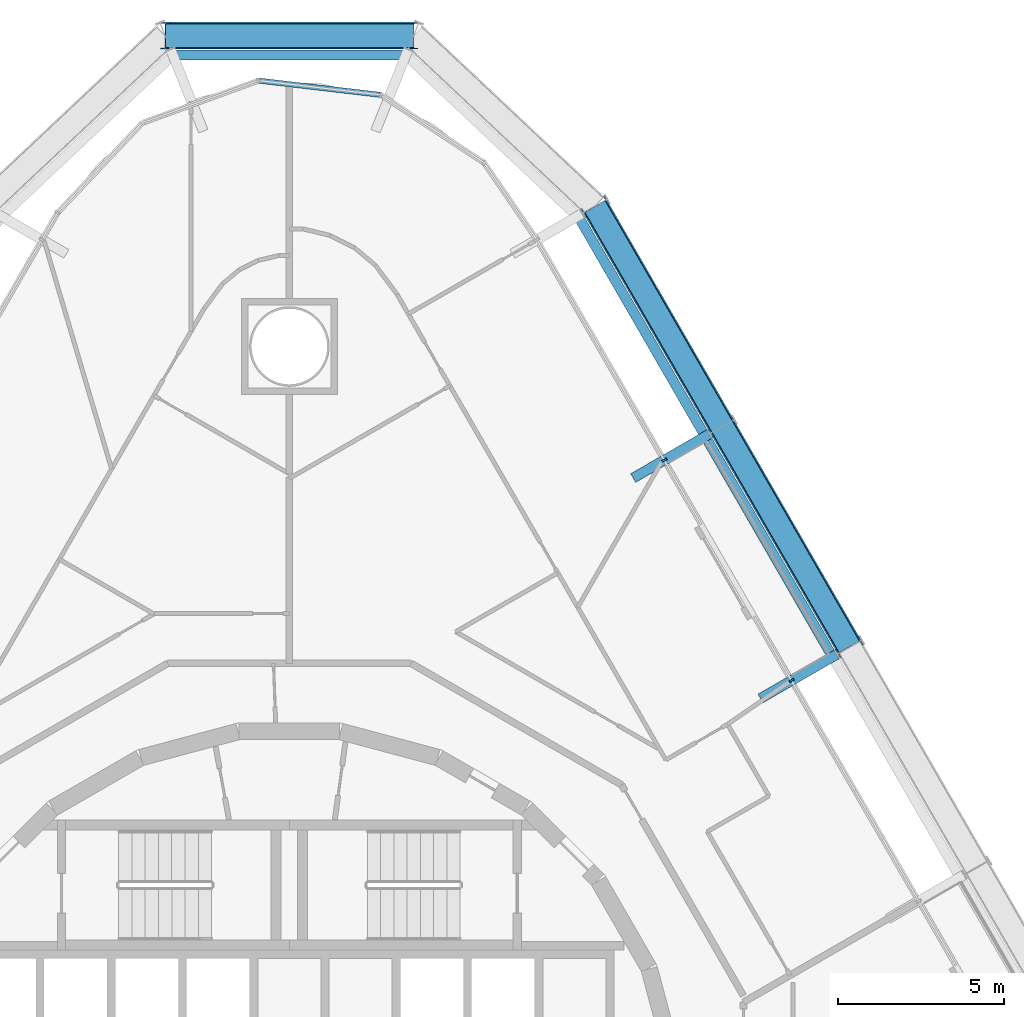
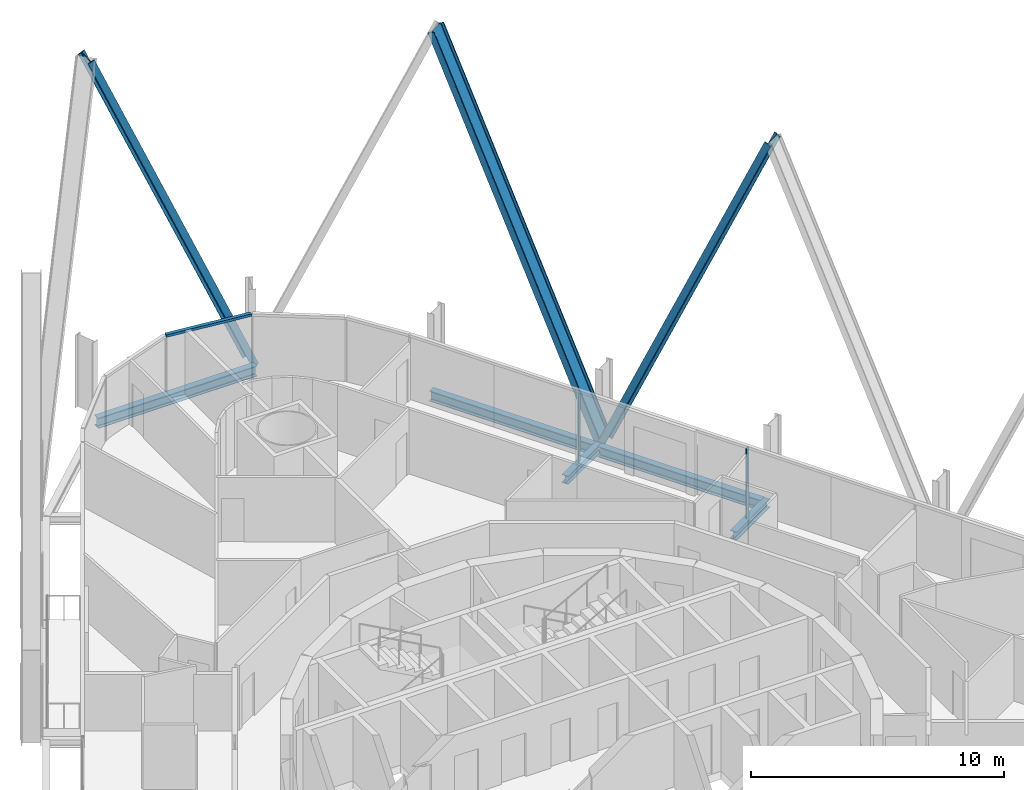
# One storey, part 11 of 22: 6 members, 5 beams, 2 elements without a shape of their own.
"""IFC4 building model written with IfcOpenShell, lengths in metres."""

import ifcopenshell
import ifcopenshell.guid

model = None  # the IFC model being written
_history = None  # IfcOwnerHistory: only IFC2X3 demands one
_inside = {}  # id of a spatial element -> (the spatial element, [elements in it])
_under = {}  # id of a project, library or spatial element -> (it, [spatial elements below it])
_declared = {}  # id of a project -> (the project, [libraries it declares])
_typed = {}  # id of a type object -> (the type object, [elements of that type])
_made_of = {}  # id of a material, layer set ... -> (it, [elements and type objects made of it])


def new_model(schema):
    """Start an empty IFC model of exactly this schema.

    Asked for "IFC4X3", IfcOpenShell would pick the latest addendum, in which some entities
    have other attributes; the version numbers below select the first issue.
    IFC2X3 requires an IfcOwnerHistory on every rooted entity: one is made here for all.
    """
    global model, _history
    if schema == "IFC4X3":
        model = ifcopenshell.file(schema_version=(4, 3, 0, 0))
    else:
        model = ifcopenshell.file(schema=schema)
    _inside.clear()
    _under.clear()
    _declared.clear()
    _typed.clear()
    _made_of.clear()
    _history = None
    if model.schema == "IFC2X3":
        org = make("IfcOrganization", Name="unknown")
        user = make(
            "IfcPersonAndOrganization",
            ThePerson=make("IfcPerson", FamilyName="unknown"),
            TheOrganization=org,
        )
        app = make(
            "IfcApplication",
            ApplicationDeveloper=org,
            Version="unknown",
            ApplicationFullName="unknown",
            ApplicationIdentifier="unknown",
        )
        _history = make(
            "IfcOwnerHistory",
            OwningUser=user,
            OwningApplication=app,
            ChangeAction="ADDED",
            CreationDate=0,
        )
    return model


def make(cls, **values):
    """One entity of the class cls with the attributes given. An attribute that is None is left unset."""
    return model.create_entity(
        cls, **{name: value for name, value in values.items() if value is not None}
    )


def rooted(cls, **values):
    """An entity with a GlobalId (a new one), such as an element, a storey or a relation."""
    return make(cls, GlobalId=ifcopenshell.guid.new(), OwnerHistory=_history, **values)


def si_unit(unit_type, name, prefix=None):
    """IfcSIUnit, for example si_unit("LENGTHUNIT", "METRE", prefix="MILLI")."""
    return make("IfcSIUnit", UnitType=unit_type, Prefix=prefix, Name=name)


def assignment(units):
    """IfcUnitAssignment: the units of a project."""
    return None if units is None else make("IfcUnitAssignment", Units=units)


def point(xyz):
    """IfcCartesianPoint."""
    return None if xyz is None else make("IfcCartesianPoint", Coordinates=xyz)


def direction(xyz):
    """IfcDirection."""
    return None if xyz is None else make("IfcDirection", DirectionRatios=xyz)


def frame(location, z_axis=None, x_axis=None):
    """IfcAxis2Placement3D, a coordinate frame: its origin and axes. An axis left out is left unset."""
    return make(
        "IfcAxis2Placement3D",
        Location=point(location),
        Axis=direction(z_axis),
        RefDirection=direction(x_axis),
    )


def frame_2d(location, x_axis=None):
    """IfcAxis2Placement2D, a coordinate frame in the plane: its origin and x axis."""
    return make(
        "IfcAxis2Placement2D", Location=point(location), RefDirection=direction(x_axis)
    )


def origin():
    """The frame at (0, 0, 0) with its axes left unset."""
    return frame((0.0, 0.0, 0.0))


def origin_2d():
    """The frame at (0, 0) in the plane with its x axis left unset."""
    return frame_2d((0.0, 0.0))


def place(relative_to, where):
    """IfcLocalPlacement: puts the frame where relative to a parent placement (None: the world)."""
    return make(
        "IfcLocalPlacement", PlacementRelTo=relative_to, RelativePlacement=where
    )


def context(
    kind, dimensions, precision=None, world=None, true_north=None, identifier=None
):
    """IfcGeometricRepresentationContext, for example the 3D "Model" context."""
    return make(
        "IfcGeometricRepresentationContext",
        ContextIdentifier=identifier,
        ContextType=kind,
        CoordinateSpaceDimension=dimensions,
        Precision=precision,
        WorldCoordinateSystem=world,
        TrueNorth=true_north,
    )


def subcontext(parent, identifier, kind, view, scale=None):
    """IfcGeometricRepresentationSubContext, for example "Body" below "Model"."""
    return make(
        "IfcGeometricRepresentationSubContext",
        ContextIdentifier=identifier,
        ContextType=kind,
        ParentContext=parent,
        TargetScale=scale,
        TargetView=view,
    )


def project(units=None, contexts=None):
    """IfcProject with its units and contexts."""
    return rooted(
        "IfcProject",
        Name="project",
        RepresentationContexts=contexts,
        UnitsInContext=assignment(units),
    )


def spatial(cls, under=None, at=None, **own):
    """A site, building, storey or space (cls), placed at a placement, below another one or the project."""
    s = rooted(cls, ObjectPlacement=at, **own)
    if under is not None:
        _under.setdefault(under.id(), (under, []))[1].append(s)
    return s


def profile(cls, at=None, kind="AREA", **sizes):
    """A parametric profile (cls). Its sizes go by their IFC names, for example OverallWidth=200.0."""
    return make(cls, ProfileType=kind, Position=at, **sizes)


def rectangle(**sizes):
    """IfcRectangleProfileDef."""
    return profile("IfcRectangleProfileDef", **sizes)


def i_section(**sizes):
    """IfcIShapeProfileDef."""
    return profile("IfcIShapeProfileDef", **sizes)


def extrude(swept, where, along, depth):
    """IfcExtrudedAreaSolid: the profile swept, set in the frame where, extruded along a direction by depth."""
    return make(
        "IfcExtrudedAreaSolid",
        SweptArea=swept,
        Position=where,
        ExtrudedDirection=direction(along),
        Depth=depth,
    )


def shape(context_of_items, identifier, shape_type, items):
    """IfcShapeRepresentation: the items that make up one representation, for example the "Body"."""
    return make(
        "IfcShapeRepresentation",
        ContextOfItems=context_of_items,
        RepresentationIdentifier=identifier,
        RepresentationType=shape_type,
        Items=items,
    )


def material(Name=None, Category=None):
    """IfcMaterial."""
    return make("IfcMaterial", Name=Name, Category=Category)


def layer(
    of_material, thickness, ventilated=None, Name=None, Category=None, Priority=None
):
    """IfcMaterialLayer: one layer of a wall or slab, of a material (None: an air gap)."""
    return make(
        "IfcMaterialLayer",
        Material=of_material,
        LayerThickness=thickness,
        IsVentilated=ventilated,
        Name=Name,
        Category=Category,
        Priority=Priority,
    )


def layer_set(layers, Name=None):
    """IfcMaterialLayerSet."""
    return make("IfcMaterialLayerSet", MaterialLayers=layers, LayerSetName=Name)


def material_profile(
    of_material, cross_section, Name=None, Category=None, Priority=None
):
    """IfcMaterialProfile: a cross section and its material."""
    return make(
        "IfcMaterialProfile",
        Name=Name,
        Material=of_material,
        Profile=cross_section,
        Priority=Priority,
        Category=Category,
    )


def profile_set(profiles, Name=None, composite=None):
    """IfcMaterialProfileSet."""
    return make(
        "IfcMaterialProfileSet",
        Name=Name,
        MaterialProfiles=profiles,
        CompositeProfile=composite,
    )


def made_of(thing, what):
    """Note that an element or type object is made of a material, layer set ...; save() writes the relation."""
    if what is not None:
        _made_of.setdefault(what.id(), (what, []))[1].append(thing)
    return thing


def type_object(cls, material=None, **own):
    """A type object (cls), such as IfcWallType, which elements share."""
    return made_of(rooted(cls, **own), material)


def element(
    cls,
    number,
    at=None,
    inside=None,
    cuts=None,
    type_object=None,
    material=None,
    context=None,
    identifier="Body",
    shape_type=None,
    held_by="IfcProductDefinitionShape",
    body=None,
    shapes=None,
    **own,
):
    """One element of the class cls, such as IfcWall. Its Tag is "e" and its number.

    at: its placement. inside: the storey or other place that contains it. cuts: it is an
    opening in that element (IfcRelVoidsElement). A single representation is given by context,
    identifier, shape_type and body (its items); several are given by shapes. held_by: the class
    of the entity that holds the representations. save() writes the other relations.
    """
    e = rooted(cls, Tag="e%d" % number, ObjectPlacement=at, **own)
    if body is not None:
        shapes = [shape(context, identifier, shape_type, body)]
    if shapes is not None:
        e.Representation = make(held_by, Representations=shapes)
    if inside is not None:
        _inside.setdefault(inside.id(), (inside, []))[1].append(e)
    if cuts is not None:
        rooted(
            "IfcRelVoidsElement", RelatingBuildingElement=cuts, RelatedOpeningElement=e
        )
    if type_object is not None:
        _typed.setdefault(type_object.id(), (type_object, []))[1].append(e)
    return made_of(e, material)


def aggregate(whole, parts):
    """IfcRelAggregates: a whole, such as a stair, and the parts it consists of."""
    return rooted("IfcRelAggregates", RelatingObject=whole, RelatedObjects=parts)


def save(model, path):
    """Write the relations noted so far, then the file.

    IfcRelAggregates (storeys below a building ...), IfcRelContainedInSpatialStructure (elements
    in a storey), IfcRelDefinesByType, IfcRelAssociatesMaterial and IfcRelDeclares: one each for
    every whole, place, type object, material and project.
    """
    for whole, parts in _under.values():
        aggregate(whole, parts)
    for where, things in _inside.values():
        rooted(
            "IfcRelContainedInSpatialStructure",
            RelatedElements=things,
            RelatingStructure=where,
        )
    for kind, things in _typed.values():
        rooted("IfcRelDefinesByType", RelatedObjects=things, RelatingType=kind)
    for what, things in _made_of.values():
        rooted("IfcRelAssociatesMaterial", RelatedObjects=things, RelatingMaterial=what)
    for by, libraries in _declared.values():
        rooted("IfcRelDeclares", RelatingContext=by, RelatedDefinitions=libraries)
    model.write(path)


model = new_model("IFC4")

# Units and contexts
model_context = context("Model", 3, precision=1e-05, world=origin(), true_north=direction((0.0, 1.0)))
body_context = subcontext(model_context, "Body", "Model", "MODEL_VIEW")
ifc_project = project(units=[si_unit("LENGTHUNIT", "METRE"), si_unit("AREAUNIT", "SQUARE_METRE"), si_unit("VOLUMEUNIT", "CUBIC_METRE"), si_unit("PLANEANGLEUNIT", "RADIAN"), si_unit("MASSUNIT", "GRAM", prefix="KILO")], contexts=[model_context])

# Site, building, storey
site_placement = place(None, origin())
site = spatial("IfcSite", under=ifc_project, at=site_placement, CompositionType="ELEMENT")
building_placement = place(site_placement, origin())
building = spatial("IfcBuilding", under=site, at=building_placement, Name="Spindle Arch Residences", CompositionType="ELEMENT")
storey_placement = place(building_placement, frame((0.0, 0.0, 52.39990234375)))
storey = spatial("IfcBuildingStorey", under=building, at=storey_placement, Name="L11", CompositionType="ELEMENT", Elevation=52.39990234375)

# Curtain wall, members
ifc_material_1 = material(Name="Aluminium bronze unitised frame with tinted glass", Category="aluminium")
ifc_layer_1 = layer(ifc_material_1, 0.159912109375)
ifc_layer_set_1 = layer_set([ifc_layer_1], Name="CW-C typical residential unitised wall")
curtain_wall_type_1 = type_object("IfcCurtainWallType", Name="CW-C typical residential unitised wall", PredefinedType="NOTDEFINED", material=ifc_layer_set_1)
curtain_wall_1_placement = place(storey_placement, origin())
curtain_wall_1 = element("IfcCurtainWall", 1, at=curtain_wall_1_placement, inside=storey, type_object=curtain_wall_type_1, Name="CW-C L11 run 2", PredefinedType="NOTDEFINED")
ifc_material_2 = material(Name="Aluminium bronze anodised mullion", Category="aluminium")
ifc_material_profile_1 = material_profile(ifc_material_2, rectangle(XDim=0.159912109375, YDim=0.06005859375, at=origin_2d()), Name="MU 60x160")
ifc_profile_set_1 = profile_set([ifc_material_profile_1], Name="Aluminium bronze anodised mullion")
member_type_1 = type_object("IfcMemberType", Name="Bronze mullion 60x160", PredefinedType="MULLION", material=ifc_profile_set_1)
member_1_placement = place(storey_placement, frame((15.149169921875, 13.180419921875, -0.3798828125), z_axis=(0.0, 0.0, 1.0), x_axis=(-0.866025403784, -0.5, 0.0)))
member_1 = element("IfcMember", 2, at=member_1_placement, type_object=member_type_1, Name="CW-C mullion 08", PredefinedType="MULLION", context=body_context, shape_type="SweptSolid", body=[
    extrude(rectangle(XDim=0.159912109375, YDim=0.06005859375, at=origin_2d()), origin(), (0.0, 0.0, 1.0), 3.3798828125),
])
member_2_placement = place(storey_placement, frame((11.309326171875, 19.83154296875, -0.3798828125), z_axis=(0.0, 0.0, 1.0), x_axis=(-0.866025403784, -0.5, 0.0)))
member_2 = element("IfcMember", 3, at=member_2_placement, type_object=member_type_1, Name="CW-C mullion 09", PredefinedType="MULLION", context=body_context, shape_type="SweptSolid", body=[
    extrude(rectangle(XDim=0.159912109375, YDim=0.06005859375, at=origin_2d()), origin(), (0.0, 0.0, 1.0), 3.3798828125),
])
aggregate(curtain_wall_1, [member_1, member_2])

# Curtain wall, member
ifc_material_3 = material(Name="Aluminium bronze unitised frame with tinted glass", Category="aluminium")
ifc_layer_2 = layer(ifc_material_3, 0.159912109375)
ifc_layer_set_2 = layer_set([ifc_layer_2], Name="CW-D corner wall on the fillet arcs")
curtain_wall_type_2 = type_object("IfcCurtainWallType", Name="CW-D corner wall on the fillet arcs", PredefinedType="NOTDEFINED", material=ifc_layer_set_2)
curtain_wall_2_placement = place(storey_placement, origin())
curtain_wall_2 = element("IfcCurtainWall", 4, at=curtain_wall_2_placement, inside=storey, type_object=curtain_wall_type_2, Name="CW-D L11 run 3", PredefinedType="NOTDEFINED")
ifc_material_4 = material(Name="Aluminium bronze anodised transom", Category="aluminium")
ifc_material_profile_2 = material_profile(ifc_material_4, rectangle(XDim=0.159912109375, YDim=0.1201171875, at=origin_2d()), Name="TR 120x160")
ifc_profile_set_2 = profile_set([ifc_material_profile_2], Name="Aluminium bronze anodised transom")
member_type_2 = type_object("IfcMemberType", Name="Bronze transom 120x160", PredefinedType="USERDEFINED", material=ifc_profile_set_2)
member_3_placement = place(storey_placement, frame((2.733642578125, 30.85595703125, 3.06005859375), z_axis=(-0.993234881174, 0.116122654204, 0.0), x_axis=(-0.116122654204, -0.993234881174, 0.0)))
member_3 = element("IfcMember", 5, at=member_3_placement, type_object=member_type_2, Name="CW-D transom 02", ObjectType="TRANSOM", PredefinedType="USERDEFINED", context=body_context, shape_type="SweptSolid", body=[
    extrude(rectangle(XDim=0.159912109375, YDim=0.1201171875, at=origin_2d()), origin(), (0.0, 0.0, 1.0), 3.666748046875),
])
aggregate(curtain_wall_2, [member_3])

# Members
ifc_material_5 = material(Name="Steel S460ML, intumescent coating R 240", Category="steel")
ifc_material_profile_3 = material_profile(ifc_material_5, i_section(OverallWidth=0.302978515625, OverallDepth=0.81396484375, WebThickness=0.02099609375, FlangeThickness=0.0400390625, FilletRadius=0.030029296875, at=origin_2d()), Name="HEM 800")
ifc_profile_set_3 = profile_set([ifc_material_profile_3], Name="Steel S460ML, intumescent coating R 240")
member_type_3 = type_object("IfcMemberType", Name="Diagrid diagonal HEM 800", PredefinedType="BRACE", material=ifc_profile_set_3)
member_4_placement = place(storey_placement, frame((13.05859375, 20.841796875, -0.6298828125), z_axis=(0.203141798676, -0.351859314841, 0.913744183123), x_axis=(-0.456864886666, 0.791329834849, 0.406290004565)))
element("IfcMember", 6, at=member_4_placement, inside=storey, type_object=member_type_3, Name="Diagrid diagonal 1.2.9", PredefinedType="BRACE", context=body_context, shape_type="SweptSolid", body=[
    extrude(i_section(OverallWidth=0.302978515625, OverallDepth=0.81396484375, WebThickness=0.02099609375, FlangeThickness=0.0400390625, FilletRadius=0.030029296875, at=origin_2d()), origin(), (0.0, 0.0, 1.0), 18.903564453125),
])
member_5_placement = place(storey_placement, frame((13.05859375, 20.841796875, -0.6298828125), z_axis=(-0.203142721803, 0.351847998607, 0.913748335405), x_axis=(0.456879540285, -0.79132616924, 0.406280665975)))
element("IfcMember", 7, at=member_5_placement, inside=storey, type_object=member_type_3, Name="Diagrid diagonal 1.2.10", PredefinedType="BRACE", context=body_context, shape_type="SweptSolid", body=[
    extrude(i_section(OverallWidth=0.302978515625, OverallDepth=0.81396484375, WebThickness=0.02099609375, FlangeThickness=0.0400390625, FilletRadius=0.030029296875, at=origin_2d()), origin(), (0.0, 0.0, 1.0), 18.9033203125),
])
member_6_placement = place(storey_placement, frame((3.748291015625, 32.638671875, -0.6298828125), z_axis=(-0.398127703552, 0.0, 0.917330001507), x_axis=(0.917330001507, 0.0, 0.398127703552)))
element("IfcMember", 8, at=member_6_placement, inside=storey, type_object=member_type_3, Name="Diagrid diagonal 1.2.12", PredefinedType="BRACE", context=body_context, shape_type="SweptSolid", body=[
    extrude(i_section(OverallWidth=0.302978515625, OverallDepth=0.81396484375, WebThickness=0.02099609375, FlangeThickness=0.0400390625, FilletRadius=0.030029296875, at=origin_2d()), origin(), (0.0, 0.0, 1.0), 18.82958984375),
])

# Beams
ifc_material_6 = material(Name="Steel S460ML, intumescent coating R 120", Category="steel")
ifc_material_profile_4 = material_profile(ifc_material_6, i_section(OverallWidth=0.300048828125, OverallDepth=0.5, WebThickness=0.014404296875, FlangeThickness=0.028076171875, FilletRadius=0.027099609375, at=origin_2d()), Name="HEB 500")
ifc_profile_set_4 = profile_set([ifc_material_profile_4], Name="Steel S460ML, intumescent coating R 120")
beam_type_1 = type_object("IfcBeamType", Name="Exoskeleton edge beam HEB 500", PredefinedType="BEAM", material=ifc_profile_set_4)
beam_1_placement = place(storey_placement, frame((16.3251953125, 14.009521484375, -0.6298828125), z_axis=(-0.49998923004, 0.866031621735, 0.0), x_axis=(-0.866031621735, -0.49998923004, 0.0)))
element("IfcBeam", 9, at=beam_1_placement, inside=storey, type_object=beam_type_1, Name="Exoskeleton edge beam 9", PredefinedType="BEAM", context=body_context, shape_type="SweptSolid", body=[
    extrude(i_section(OverallWidth=0.300048828125, OverallDepth=0.5, WebThickness=0.014404296875, FlangeThickness=0.028076171875, FilletRadius=0.027099609375, at=origin_2d()), origin(), (0.0, 0.0, 1.0), 7.420166015625),
])
beam_2_placement = place(storey_placement, frame((12.485107421875, 20.660888671875, -0.6298828125), z_axis=(-0.500003477455, 0.866023396066, 0.0), x_axis=(-0.866023396066, -0.500003477455, 0.0)))
element("IfcBeam", 10, at=beam_2_placement, inside=storey, type_object=beam_type_1, Name="Exoskeleton edge beam 10", PredefinedType="BEAM", context=body_context, shape_type="SweptSolid", body=[
    extrude(i_section(OverallWidth=0.300048828125, OverallDepth=0.5, WebThickness=0.014404296875, FlangeThickness=0.028076171875, FilletRadius=0.027099609375, at=origin_2d()), origin(), (0.0, 0.0, 1.0), 7.419921875),
])
beam_3_placement = place(storey_placement, frame((3.6181640625, 32.051513671875, -0.6298828125), z_axis=(-1.0, 0.0, 0.0), x_axis=(0.0, -1.0, 0.0)))
element("IfcBeam", 11, at=beam_3_placement, inside=storey, type_object=beam_type_1, Name="Exoskeleton edge beam 12", PredefinedType="BEAM", context=body_context, shape_type="SweptSolid", body=[
    extrude(i_section(OverallWidth=0.300048828125, OverallDepth=0.5, WebThickness=0.014404296875, FlangeThickness=0.028076171875, FilletRadius=0.027099609375, at=origin_2d()), origin(), (0.0, 0.0, 1.0), 7.236328125),
])
ifc_material_7 = material(Name="Steel S460ML, intumescent coating R 120", Category="steel")
ifc_material_profile_5 = material_profile(ifc_material_7, i_section(OverallWidth=0.300048828125, OverallDepth=0.389892578125, WebThickness=0.010986328125, FlangeThickness=0.01904296875, FilletRadius=0.027099609375, at=origin_2d()), Name="HEA 400")
ifc_profile_set_5 = profile_set([ifc_material_profile_5], Name="Steel S460ML, intumescent coating R 120")
beam_type_2 = type_object("IfcBeamType", Name="Floor outrigger HEA 400", PredefinedType="BEAM", material=ifc_profile_set_5)
for number, where, z_axis, x_axis, name in (
    (12, (16.5087890625, 13.965576171875, -0.574951171875), (-0.865989200783, -0.500062700197, 0.0), (0.500062700197, -0.865989200783, 0.0), "Floor outrigger 9"),
    (13, (12.6689453125, 20.61669921875, -0.574951171875), (-0.866052124492, -0.499953715521, 0.0), (0.499953715521, -0.866052124492, 0.0), "Floor outrigger 10"),
):
    element("IfcBeam", number, at=place(storey_placement, frame(where, z_axis=z_axis, x_axis=x_axis)), inside=storey, type_object=beam_type_2, Name=name, PredefinedType="BEAM", context=body_context, shape_type="SweptSolid", body=[
        extrude(i_section(OverallWidth=0.300048828125, OverallDepth=0.389892578125, WebThickness=0.010986328125, FlangeThickness=0.01904296875, FilletRadius=0.027099609375, at=origin_2d()), origin(), (0.0, 0.0, 1.0), 2.650146484375),
    ])

save(model, "model.ifc")
